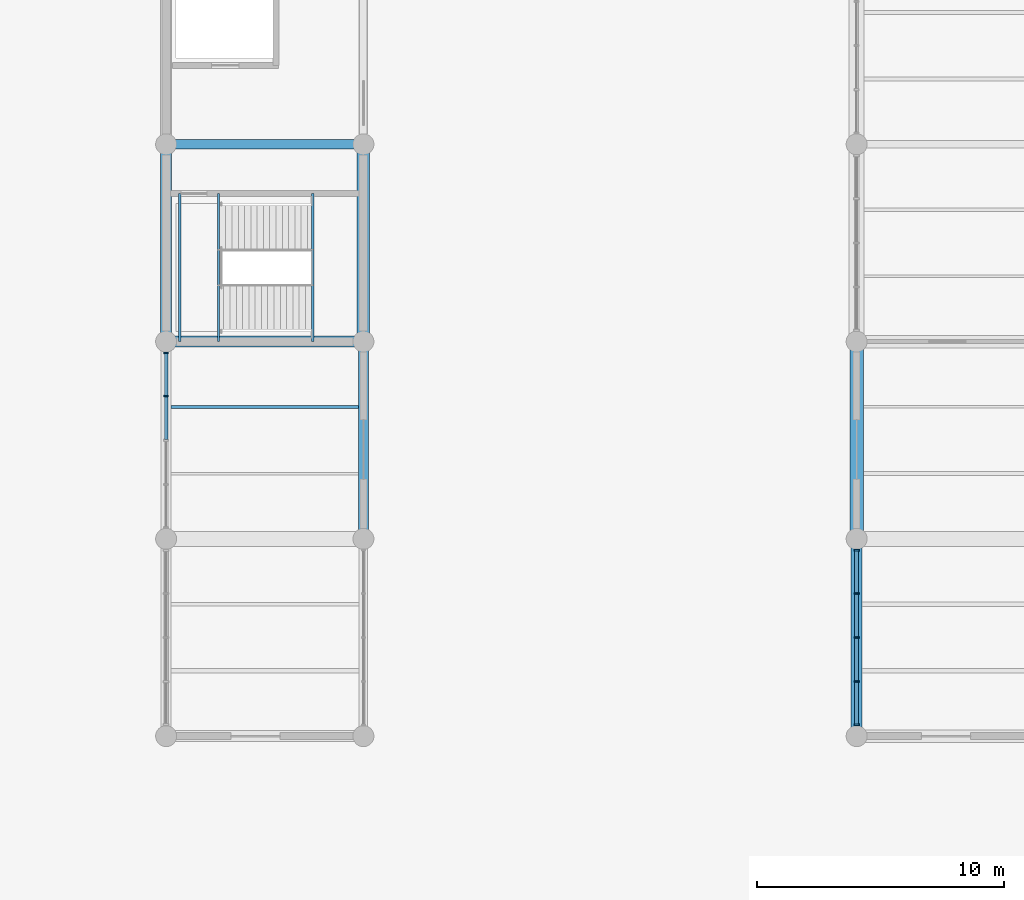
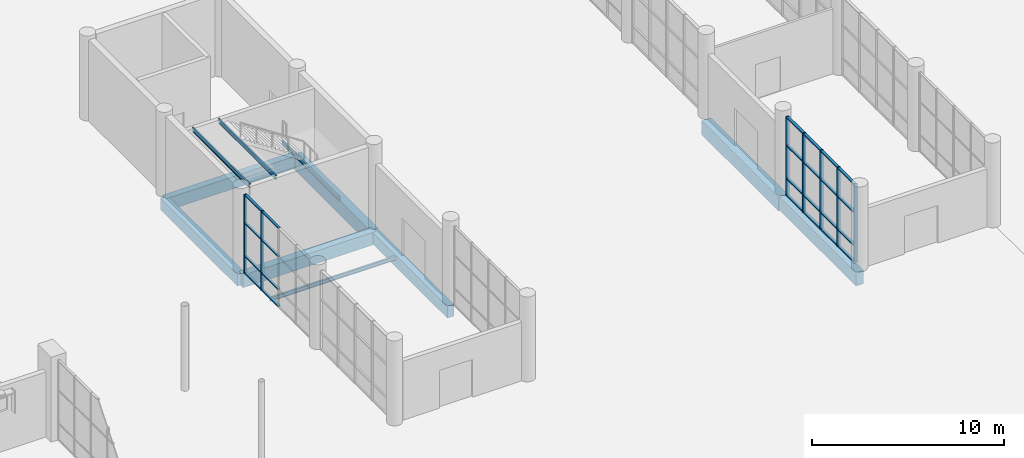
# One storey, part 29 of 123: 31 members, 11 beams, 2 elements without a shape of their own.
"""IFC4 building model written with IfcOpenShell, lengths in metres."""

from ifc_helpers import new_model, si_unit, direction, frame, origin, origin_2d, place, context, subcontext, project, spatial, rectangle, i_section, extrude, material, material_profile, profile_set, type_object, element, aggregate, save


model = new_model("IFC4")

# Units and contexts
model_context = context("Model", 3, precision=1e-05, world=origin(), true_north=direction((0.0, 1.0)))
body_context = subcontext(model_context, "Body", "Model", "MODEL_VIEW")
ifc_project = project(units=[si_unit("LENGTHUNIT", "METRE"), si_unit("AREAUNIT", "SQUARE_METRE"), si_unit("VOLUMEUNIT", "CUBIC_METRE"), si_unit("PLANEANGLEUNIT", "RADIAN"), si_unit("MASSUNIT", "GRAM", prefix="KILO")], contexts=[model_context])

# Site, building, storey
site_placement = place(None, origin())
site = spatial("IfcSite", under=ifc_project, at=site_placement, CompositionType="ELEMENT")
building_placement = place(site_placement, origin())
building = spatial("IfcBuilding", under=site, at=building_placement, Name="Tenunan Teduh Sports Hall", CompositionType="ELEMENT")
storey_placement = place(building_placement, origin())
storey = spatial("IfcBuildingStorey", under=building, at=storey_placement, Name="L00", CompositionType="ELEMENT", Elevation=0.0)

# Beams
ifc_material_1 = material(Name="Concrete C40/50", Category="concrete")
ifc_material_profile_1 = material_profile(ifc_material_1, rectangle(XDim=0.39990234375, YDim=0.75, at=origin_2d()), Name="RCB 400x750")
ifc_profile_set_1 = profile_set([ifc_material_profile_1], Name="Concrete C40/50")
beam_type_1 = type_object("IfcBeamType", Name="BM-RC-400x750", PredefinedType="BEAM", material=ifc_profile_set_1)
beam_1_placement = place(storey_placement, frame((78.0, 46.0, -0.655029296875), z_axis=(0.0, 1.0, 0.0), x_axis=(-1.0, 0.0, 0.0)))
element("IfcBeam", 1, at=beam_1_placement, inside=storey, type_object=beam_type_1, Name="BM-B-09-L00-0822", PredefinedType="BEAM", context=body_context, shape_type="SweptSolid", body=[
    extrude(rectangle(XDim=0.39990234375, YDim=0.75, at=origin_2d()), origin(), (0.0, 0.0, 1.0), 8.0),
])
ifc_material_2 = material(Name="Concrete C40/50", Category="concrete")
ifc_material_profile_2 = material_profile(ifc_material_2, rectangle(XDim=0.449951171875, YDim=0.75, at=origin_2d()), Name="RCB 450x750")
ifc_profile_set_2 = profile_set([ifc_material_profile_2], Name="Concrete C40/50")
beam_type_2 = type_object("IfcBeamType", Name="BM-RC-450x750", PredefinedType="BEAM", material=ifc_profile_set_2)
beam_2_placement = place(storey_placement, frame((70.0, 54.0, -0.655029296875), z_axis=(0.0, 1.0, 0.0), x_axis=(-1.0, 0.0, 0.0)))
element("IfcBeam", 2, at=beam_2_placement, inside=storey, type_object=beam_type_2, Name="BM-B-11-L00-0815", PredefinedType="BEAM", context=body_context, shape_type="SweptSolid", body=[
    extrude(rectangle(XDim=0.449951171875, YDim=0.75, at=origin_2d()), origin(), (0.0, 0.0, 1.0), 8.0),
])
ifc_material_3 = material(Name="Concrete C40/50", Category="concrete")
ifc_material_profile_3 = material_profile(ifc_material_3, rectangle(XDim=0.449951171875, YDim=0.800048828125, at=origin_2d()), Name="RCB 450x800")
ifc_profile_set_3 = profile_set([ifc_material_profile_3], Name="Concrete C40/50")
beam_type_3 = type_object("IfcBeamType", Name="BM-RC-450x800", PredefinedType="BEAM", material=ifc_profile_set_3)
beam_3_placement = place(storey_placement, frame((70.0, 54.0, -0.679931640625), z_axis=(1.0, 0.0, 0.0), x_axis=(0.0, 1.0, 0.0)))
element("IfcBeam", 3, at=beam_3_placement, inside=storey, type_object=beam_type_3, Name="BM-B-12-L00-0665", PredefinedType="BEAM", context=body_context, shape_type="SweptSolid", body=[
    extrude(rectangle(XDim=0.449951171875, YDim=0.800048828125, at=origin_2d()), origin(), (0.0, 0.0, 1.0), 8.0),
])
ifc_material_4 = material(Name="Concrete C40/50", Category="concrete")
ifc_material_profile_4 = material_profile(ifc_material_4, rectangle(XDim=0.449951171875, YDim=0.85009765625, at=origin_2d()), Name="RCB 450x850")
ifc_profile_set_4 = profile_set([ifc_material_profile_4], Name="Concrete C40/50")
beam_type_4 = type_object("IfcBeamType", Name="BM-RC-450x850", PredefinedType="BEAM", material=ifc_profile_set_4)
beam_4_placement = place(storey_placement, frame((98.0, 38.0, -0.705078125), z_axis=(0.0, 1.0, 0.0), x_axis=(-1.0, 0.0, 0.0)))
element("IfcBeam", 4, at=beam_4_placement, inside=storey, type_object=beam_type_4, Name="BM-B-13-L00-0828", PredefinedType="BEAM", context=body_context, shape_type="SweptSolid", body=[
    extrude(rectangle(XDim=0.449951171875, YDim=0.85009765625, at=origin_2d()), origin(), (0.0, 0.0, 1.0), 8.0),
])
ifc_material_5 = material(Name="Concrete C40/50", Category="concrete")
ifc_material_profile_5 = material_profile(ifc_material_5, rectangle(XDim=0.5, YDim=0.89990234375, at=origin_2d()), Name="RCB 500x900")
ifc_profile_set_5 = profile_set([ifc_material_profile_5], Name="Concrete C40/50")
beam_type_5 = type_object("IfcBeamType", Name="BM-RC-500x900", PredefinedType="BEAM", material=ifc_profile_set_5)
beam_5_placement = place(storey_placement, frame((78.0, 54.0, -0.72998046875), z_axis=(0.0, 1.0, 0.0), x_axis=(-1.0, 0.0, 0.0)))
element("IfcBeam", 5, at=beam_5_placement, inside=storey, type_object=beam_type_5, Name="BM-B-15-L00-0823", PredefinedType="BEAM", context=body_context, shape_type="SweptSolid", body=[
    extrude(rectangle(XDim=0.5, YDim=0.89990234375, at=origin_2d()), origin(), (0.0, 0.0, 1.0), 8.0),
])
ifc_material_6 = material(Name="Concrete C40/50", Category="concrete")
ifc_material_profile_6 = material_profile(ifc_material_6, rectangle(XDim=0.550048828125, YDim=0.89990234375, at=origin_2d()), Name="RCB 550x900")
ifc_profile_set_6 = profile_set([ifc_material_profile_6], Name="Concrete C40/50")
beam_type_6 = type_object("IfcBeamType", Name="BM-RC-550x900", PredefinedType="BEAM", material=ifc_profile_set_6)
beam_6_placement = place(storey_placement, frame((98.0, 46.0, -0.72998046875), z_axis=(0.0, 1.0, 0.0), x_axis=(-1.0, 0.0, 0.0)))
element("IfcBeam", 6, at=beam_6_placement, inside=storey, type_object=beam_type_6, Name="BM-B-16-L00-0829", PredefinedType="BEAM", context=body_context, shape_type="SweptSolid", body=[
    extrude(rectangle(XDim=0.550048828125, YDim=0.89990234375, at=origin_2d()), origin(), (0.0, 0.0, 1.0), 8.0),
])
ifc_material_7 = material(Name="Concrete C40/50", Category="concrete")
ifc_material_profile_7 = material_profile(ifc_material_7, rectangle(XDim=0.39990234375, YDim=0.780029296875, at=origin_2d()), Name="TB 400x780")
ifc_profile_set_7 = profile_set([ifc_material_profile_7], Name="Concrete C40/50")
beam_type_7 = type_object("IfcBeamType", Name="BM-TB-400x780", PredefinedType="T_BEAM", material=ifc_profile_set_7)
beam_7_placement = place(storey_placement, frame((70.0, 62.0, -0.669921875), z_axis=(1.0, 0.0, 0.0), x_axis=(0.0, 1.0, 0.0)))
element("IfcBeam", 7, at=beam_7_placement, inside=storey, type_object=beam_type_7, Name="BM-TB-02-L00-0668", PredefinedType="T_BEAM", context=body_context, shape_type="SweptSolid", body=[
    extrude(rectangle(XDim=0.39990234375, YDim=0.780029296875, at=origin_2d()), origin(), (0.0, 0.0, 1.0), 8.0),
])

# Curtain wall, members
ifc_material_8 = material(Name="Anodised aluminium", Category="aluminium")
curtain_wall_type = type_object("IfcCurtainWallType", Name="CW-UNIT-1", PredefinedType="NOTDEFINED", material=ifc_material_8)
curtain_wall_1_placement = place(storey_placement, origin())
curtain_wall_1 = element("IfcCurtainWall", 8, at=curtain_wall_1_placement, inside=storey, type_object=curtain_wall_type, Name="CW-CWM-175-L00-154", PredefinedType="NOTDEFINED")
ifc_material_9 = material(Name="Anodised aluminium", Category="aluminium")
ifc_material_profile_8 = material_profile(ifc_material_9, rectangle(XDim=0.06494140625, YDim=0.175048828125, at=origin_2d()), Name="CWM 65x175")
ifc_profile_set_8 = profile_set([ifc_material_profile_8], Name="Anodised aluminium")
member_type_1 = type_object("IfcMemberType", Name="CWM-175", PredefinedType="MULLION", material=ifc_profile_set_8)
member_1_placement = place(storey_placement, frame((70.0, 51.78759765625, 0.0), z_axis=(0.0, 0.0, 1.0), x_axis=(0.0, 1.0, 0.0)))
member_1 = element("IfcMember", 9, at=member_1_placement, type_object=member_type_1, Name="CW-01 mullion 4", PredefinedType="MULLION", context=body_context, shape_type="SweptSolid", body=[
    extrude(rectangle(XDim=0.06494140625, YDim=0.175048828125, at=origin_2d()), origin(), (0.0, 0.0, 1.0), 5.0400390625),
])
member_2_placement = place(storey_placement, frame((70.0, 53.54248046875, 0.0), z_axis=(0.0, 0.0, 1.0), x_axis=(0.0, 1.0, 0.0)))
member_2 = element("IfcMember", 10, at=member_2_placement, type_object=member_type_1, Name="CW-01 mullion 5", PredefinedType="MULLION", context=body_context, shape_type="SweptSolid", body=[
    extrude(rectangle(XDim=0.06494140625, YDim=0.175048828125, at=origin_2d()), origin(), (0.0, 0.0, 1.0), 5.0400390625),
])

curtain_wall_2_placement = place(storey_placement, origin())
curtain_wall_2 = element("IfcCurtainWall", 11, at=curtain_wall_2_placement, inside=storey, type_object=curtain_wall_type, Name="CW-CWM-200-L00-156", PredefinedType="NOTDEFINED")
ifc_material_10 = material(Name="Anodised aluminium", Category="aluminium")
ifc_material_profile_9 = material_profile(ifc_material_10, rectangle(XDim=0.070068359375, YDim=0.199951171875, at=origin_2d()), Name="CWM 70x200")
ifc_profile_set_9 = profile_set([ifc_material_profile_9], Name="Anodised aluminium")
member_type_2 = type_object("IfcMemberType", Name="CWM-200", PredefinedType="MULLION", material=ifc_profile_set_9)
member_3_placement = place(storey_placement, frame((98.0, 38.4599609375, 0.0), z_axis=(0.0, 0.0, 1.0), x_axis=(0.0, 1.0, 0.0)))
member_3 = element("IfcMember", 12, at=member_3_placement, type_object=member_type_2, Name="CW-01 mullion 1", PredefinedType="MULLION", context=body_context, shape_type="SweptSolid", body=[
    extrude(rectangle(XDim=0.070068359375, YDim=0.199951171875, at=origin_2d()), origin(), (0.0, 0.0, 1.0), 5.0400390625),
])
member_4_placement = place(storey_placement, frame((98.0, 40.21240234375, 0.0), z_axis=(0.0, 0.0, 1.0), x_axis=(0.0, 1.0, 0.0)))
member_4 = element("IfcMember", 13, at=member_4_placement, type_object=member_type_2, Name="CW-01 mullion 2", PredefinedType="MULLION", context=body_context, shape_type="SweptSolid", body=[
    extrude(rectangle(XDim=0.070068359375, YDim=0.199951171875, at=origin_2d()), origin(), (0.0, 0.0, 1.0), 5.0400390625),
])
member_5_placement = place(storey_placement, frame((98.0, 42.0, 0.0), z_axis=(0.0, 0.0, 1.0), x_axis=(0.0, 1.0, 0.0)))
member_5 = element("IfcMember", 14, at=member_5_placement, type_object=member_type_2, Name="CW-01 mullion 3", PredefinedType="MULLION", context=body_context, shape_type="SweptSolid", body=[
    extrude(rectangle(XDim=0.070068359375, YDim=0.199951171875, at=origin_2d()), origin(), (0.0, 0.0, 1.0), 5.0400390625),
])
member_6_placement = place(storey_placement, frame((98.0, 43.78759765625, 0.0), z_axis=(0.0, 0.0, 1.0), x_axis=(0.0, 1.0, 0.0)))
member_6 = element("IfcMember", 15, at=member_6_placement, type_object=member_type_2, Name="CW-01 mullion 4", PredefinedType="MULLION", context=body_context, shape_type="SweptSolid", body=[
    extrude(rectangle(XDim=0.070068359375, YDim=0.199951171875, at=origin_2d()), origin(), (0.0, 0.0, 1.0), 5.0400390625),
])
member_7_placement = place(storey_placement, frame((98.0, 45.5400390625, 0.0), z_axis=(0.0, 0.0, 1.0), x_axis=(0.0, 1.0, 0.0)))
member_7 = element("IfcMember", 16, at=member_7_placement, type_object=member_type_2, Name="CW-01 mullion 5", PredefinedType="MULLION", context=body_context, shape_type="SweptSolid", body=[
    extrude(rectangle(XDim=0.070068359375, YDim=0.199951171875, at=origin_2d()), origin(), (0.0, 0.0, 1.0), 5.0400390625),
])

# Member
ifc_material_11 = material(Name="Anodised aluminium", Category="aluminium")
ifc_material_profile_10 = material_profile(ifc_material_11, rectangle(XDim=0.06494140625, YDim=0.139892578125, at=origin_2d()), Name="CWT 65x140")
ifc_profile_set_10 = profile_set([ifc_material_profile_10], Name="Anodised aluminium")
member_type_3 = type_object("IfcMemberType", Name="CWT-150", PredefinedType="USERDEFINED", material=ifc_profile_set_10)
member_8_placement = place(storey_placement, frame((70.0, 50.032470703125, 0.032470703125), z_axis=(0.0, 1.0, 0.0), x_axis=(0.0, 0.0, 1.0)))
member_8 = element("IfcMember", 17, at=member_8_placement, type_object=member_type_3, Name="CW-01 transom 3.1", ObjectType="TRANSOM", PredefinedType="USERDEFINED", context=body_context, shape_type="SweptSolid", body=[
    extrude(rectangle(XDim=0.06494140625, YDim=0.139892578125, at=origin_2d()), origin(), (0.0, 0.0, 1.0), 1.722412109375),
])

member_9_placement = place(storey_placement, frame((70.0, 50.032470703125, 1.10009765625), z_axis=(0.0, 1.0, 0.0), x_axis=(0.0, 0.0, 1.0)))
member_9 = element("IfcMember", 18, at=member_9_placement, type_object=member_type_3, Name="CW-01 transom 3.2", ObjectType="TRANSOM", PredefinedType="USERDEFINED", context=body_context, shape_type="SweptSolid", body=[
    extrude(rectangle(XDim=0.06494140625, YDim=0.139892578125, at=origin_2d()), origin(), (0.0, 0.0, 1.0), 1.722412109375),
])

member_10_placement = place(storey_placement, frame((70.0, 50.032470703125, 3.199951171875), z_axis=(0.0, 1.0, 0.0), x_axis=(0.0, 0.0, 1.0)))
member_10 = element("IfcMember", 19, at=member_10_placement, type_object=member_type_3, Name="CW-01 transom 3.3", ObjectType="TRANSOM", PredefinedType="USERDEFINED", context=body_context, shape_type="SweptSolid", body=[
    extrude(rectangle(XDim=0.06494140625, YDim=0.139892578125, at=origin_2d()), origin(), (0.0, 0.0, 1.0), 1.722412109375),
])

member_11_placement = place(storey_placement, frame((70.0, 50.032470703125, 5.007568359375), z_axis=(0.0, 1.0, 0.0), x_axis=(0.0, 0.0, 1.0)))
member_11 = element("IfcMember", 20, at=member_11_placement, type_object=member_type_3, Name="CW-01 transom 3.4", ObjectType="TRANSOM", PredefinedType="USERDEFINED", context=body_context, shape_type="SweptSolid", body=[
    extrude(rectangle(XDim=0.06494140625, YDim=0.139892578125, at=origin_2d()), origin(), (0.0, 0.0, 1.0), 1.722412109375),
])

member_12_placement = place(storey_placement, frame((70.0, 51.820068359375, 0.032470703125), z_axis=(0.0, 1.0, 0.0), x_axis=(0.0, 0.0, 1.0)))
member_12 = element("IfcMember", 21, at=member_12_placement, type_object=member_type_3, Name="CW-01 transom 4.1", ObjectType="TRANSOM", PredefinedType="USERDEFINED", context=body_context, shape_type="SweptSolid", body=[
    extrude(rectangle(XDim=0.06494140625, YDim=0.139892578125, at=origin_2d()), origin(), (0.0, 0.0, 1.0), 1.68994140625),
])

member_13_placement = place(storey_placement, frame((70.0, 51.820068359375, 1.10009765625), z_axis=(0.0, 1.0, 0.0), x_axis=(0.0, 0.0, 1.0)))
member_13 = element("IfcMember", 22, at=member_13_placement, type_object=member_type_3, Name="CW-01 transom 4.2", ObjectType="TRANSOM", PredefinedType="USERDEFINED", context=body_context, shape_type="SweptSolid", body=[
    extrude(rectangle(XDim=0.06494140625, YDim=0.139892578125, at=origin_2d()), origin(), (0.0, 0.0, 1.0), 1.68994140625),
])

member_14_placement = place(storey_placement, frame((70.0, 51.820068359375, 3.199951171875), z_axis=(0.0, 1.0, 0.0), x_axis=(0.0, 0.0, 1.0)))
member_14 = element("IfcMember", 23, at=member_14_placement, type_object=member_type_3, Name="CW-01 transom 4.3", ObjectType="TRANSOM", PredefinedType="USERDEFINED", context=body_context, shape_type="SweptSolid", body=[
    extrude(rectangle(XDim=0.06494140625, YDim=0.139892578125, at=origin_2d()), origin(), (0.0, 0.0, 1.0), 1.68994140625),
])

member_15_placement = place(storey_placement, frame((70.0, 51.820068359375, 5.007568359375), z_axis=(0.0, 1.0, 0.0), x_axis=(0.0, 0.0, 1.0)))
member_15 = element("IfcMember", 24, at=member_15_placement, type_object=member_type_3, Name="CW-01 transom 4.4", ObjectType="TRANSOM", PredefinedType="USERDEFINED", context=body_context, shape_type="SweptSolid", body=[
    extrude(rectangle(XDim=0.06494140625, YDim=0.139892578125, at=origin_2d()), origin(), (0.0, 0.0, 1.0), 1.68994140625),
])

aggregate(curtain_wall_1, [member_1, member_2, member_8, member_9, member_10, member_11, member_12, member_13, member_14, member_15])

ifc_material_12 = material(Name="Anodised aluminium", Category="aluminium")
ifc_material_profile_11 = material_profile(ifc_material_12, rectangle(XDim=0.070068359375, YDim=0.159912109375, at=origin_2d()), Name="CWT 70x160")
ifc_profile_set_11 = profile_set([ifc_material_profile_11], Name="Anodised aluminium")
member_type_4 = type_object("IfcMemberType", Name="CWT-200", PredefinedType="USERDEFINED", material=ifc_profile_set_11)
member_16_placement = place(storey_placement, frame((98.0, 38.4951171875, 0.034912109375), z_axis=(0.0, 1.0, 0.0), x_axis=(0.0, 0.0, 1.0)))
member_16 = element("IfcMember", 25, at=member_16_placement, type_object=member_type_4, Name="CW-01 transom 1.1", ObjectType="TRANSOM", PredefinedType="USERDEFINED", context=body_context, shape_type="SweptSolid", body=[
    extrude(rectangle(XDim=0.070068359375, YDim=0.159912109375, at=origin_2d()), origin(), (0.0, 0.0, 1.0), 1.682373046875),
])

member_17_placement = place(storey_placement, frame((98.0, 38.4951171875, 1.10009765625), z_axis=(0.0, 1.0, 0.0), x_axis=(0.0, 0.0, 1.0)))
member_17 = element("IfcMember", 26, at=member_17_placement, type_object=member_type_4, Name="CW-01 transom 1.2", ObjectType="TRANSOM", PredefinedType="USERDEFINED", context=body_context, shape_type="SweptSolid", body=[
    extrude(rectangle(XDim=0.070068359375, YDim=0.159912109375, at=origin_2d()), origin(), (0.0, 0.0, 1.0), 1.682373046875),
])

member_18_placement = place(storey_placement, frame((98.0, 38.4951171875, 3.199951171875), z_axis=(0.0, 1.0, 0.0), x_axis=(0.0, 0.0, 1.0)))
member_18 = element("IfcMember", 27, at=member_18_placement, type_object=member_type_4, Name="CW-01 transom 1.3", ObjectType="TRANSOM", PredefinedType="USERDEFINED", context=body_context, shape_type="SweptSolid", body=[
    extrude(rectangle(XDim=0.070068359375, YDim=0.159912109375, at=origin_2d()), origin(), (0.0, 0.0, 1.0), 1.682373046875),
])

member_19_placement = place(storey_placement, frame((98.0, 38.4951171875, 5.0048828125), z_axis=(0.0, 1.0, 0.0), x_axis=(0.0, 0.0, 1.0)))
member_19 = element("IfcMember", 28, at=member_19_placement, type_object=member_type_4, Name="CW-01 transom 1.4", ObjectType="TRANSOM", PredefinedType="USERDEFINED", context=body_context, shape_type="SweptSolid", body=[
    extrude(rectangle(XDim=0.070068359375, YDim=0.159912109375, at=origin_2d()), origin(), (0.0, 0.0, 1.0), 1.682373046875),
])

member_20_placement = place(storey_placement, frame((98.0, 40.24755859375, 0.034912109375), z_axis=(0.0, 1.0, 0.0), x_axis=(0.0, 0.0, 1.0)))
member_20 = element("IfcMember", 29, at=member_20_placement, type_object=member_type_4, Name="CW-01 transom 2.1", ObjectType="TRANSOM", PredefinedType="USERDEFINED", context=body_context, shape_type="SweptSolid", body=[
    extrude(rectangle(XDim=0.070068359375, YDim=0.159912109375, at=origin_2d()), origin(), (0.0, 0.0, 1.0), 1.717529296875),
])

member_21_placement = place(storey_placement, frame((98.0, 40.24755859375, 1.10009765625), z_axis=(0.0, 1.0, 0.0), x_axis=(0.0, 0.0, 1.0)))
member_21 = element("IfcMember", 30, at=member_21_placement, type_object=member_type_4, Name="CW-01 transom 2.2", ObjectType="TRANSOM", PredefinedType="USERDEFINED", context=body_context, shape_type="SweptSolid", body=[
    extrude(rectangle(XDim=0.070068359375, YDim=0.159912109375, at=origin_2d()), origin(), (0.0, 0.0, 1.0), 1.717529296875),
])

member_22_placement = place(storey_placement, frame((98.0, 40.24755859375, 3.199951171875), z_axis=(0.0, 1.0, 0.0), x_axis=(0.0, 0.0, 1.0)))
member_22 = element("IfcMember", 31, at=member_22_placement, type_object=member_type_4, Name="CW-01 transom 2.3", ObjectType="TRANSOM", PredefinedType="USERDEFINED", context=body_context, shape_type="SweptSolid", body=[
    extrude(rectangle(XDim=0.070068359375, YDim=0.159912109375, at=origin_2d()), origin(), (0.0, 0.0, 1.0), 1.717529296875),
])

member_23_placement = place(storey_placement, frame((98.0, 40.24755859375, 5.0048828125), z_axis=(0.0, 1.0, 0.0), x_axis=(0.0, 0.0, 1.0)))
member_23 = element("IfcMember", 32, at=member_23_placement, type_object=member_type_4, Name="CW-01 transom 2.4", ObjectType="TRANSOM", PredefinedType="USERDEFINED", context=body_context, shape_type="SweptSolid", body=[
    extrude(rectangle(XDim=0.070068359375, YDim=0.159912109375, at=origin_2d()), origin(), (0.0, 0.0, 1.0), 1.717529296875),
])

member_24_placement = place(storey_placement, frame((98.0, 42.034912109375, 0.034912109375), z_axis=(0.0, 1.0, 0.0), x_axis=(0.0, 0.0, 1.0)))
member_24 = element("IfcMember", 33, at=member_24_placement, type_object=member_type_4, Name="CW-01 transom 3.1", ObjectType="TRANSOM", PredefinedType="USERDEFINED", context=body_context, shape_type="SweptSolid", body=[
    extrude(rectangle(XDim=0.070068359375, YDim=0.159912109375, at=origin_2d()), origin(), (0.0, 0.0, 1.0), 1.717529296875),
])

member_25_placement = place(storey_placement, frame((98.0, 42.034912109375, 1.10009765625), z_axis=(0.0, 1.0, 0.0), x_axis=(0.0, 0.0, 1.0)))
member_25 = element("IfcMember", 34, at=member_25_placement, type_object=member_type_4, Name="CW-01 transom 3.2", ObjectType="TRANSOM", PredefinedType="USERDEFINED", context=body_context, shape_type="SweptSolid", body=[
    extrude(rectangle(XDim=0.070068359375, YDim=0.159912109375, at=origin_2d()), origin(), (0.0, 0.0, 1.0), 1.717529296875),
])

member_26_placement = place(storey_placement, frame((98.0, 42.034912109375, 3.199951171875), z_axis=(0.0, 1.0, 0.0), x_axis=(0.0, 0.0, 1.0)))
member_26 = element("IfcMember", 35, at=member_26_placement, type_object=member_type_4, Name="CW-01 transom 3.3", ObjectType="TRANSOM", PredefinedType="USERDEFINED", context=body_context, shape_type="SweptSolid", body=[
    extrude(rectangle(XDim=0.070068359375, YDim=0.159912109375, at=origin_2d()), origin(), (0.0, 0.0, 1.0), 1.717529296875),
])

member_27_placement = place(storey_placement, frame((98.0, 42.034912109375, 5.0048828125), z_axis=(0.0, 1.0, 0.0), x_axis=(0.0, 0.0, 1.0)))
member_27 = element("IfcMember", 36, at=member_27_placement, type_object=member_type_4, Name="CW-01 transom 3.4", ObjectType="TRANSOM", PredefinedType="USERDEFINED", context=body_context, shape_type="SweptSolid", body=[
    extrude(rectangle(XDim=0.070068359375, YDim=0.159912109375, at=origin_2d()), origin(), (0.0, 0.0, 1.0), 1.717529296875),
])

member_28_placement = place(storey_placement, frame((98.0, 43.822509765625, 0.034912109375), z_axis=(0.0, 1.0, 0.0), x_axis=(0.0, 0.0, 1.0)))
member_28 = element("IfcMember", 37, at=member_28_placement, type_object=member_type_4, Name="CW-01 transom 4.1", ObjectType="TRANSOM", PredefinedType="USERDEFINED", context=body_context, shape_type="SweptSolid", body=[
    extrude(rectangle(XDim=0.070068359375, YDim=0.159912109375, at=origin_2d()), origin(), (0.0, 0.0, 1.0), 1.682373046875),
])

member_29_placement = place(storey_placement, frame((98.0, 43.822509765625, 1.10009765625), z_axis=(0.0, 1.0, 0.0), x_axis=(0.0, 0.0, 1.0)))
member_29 = element("IfcMember", 38, at=member_29_placement, type_object=member_type_4, Name="CW-01 transom 4.2", ObjectType="TRANSOM", PredefinedType="USERDEFINED", context=body_context, shape_type="SweptSolid", body=[
    extrude(rectangle(XDim=0.070068359375, YDim=0.159912109375, at=origin_2d()), origin(), (0.0, 0.0, 1.0), 1.682373046875),
])

member_30_placement = place(storey_placement, frame((98.0, 43.822509765625, 3.199951171875), z_axis=(0.0, 1.0, 0.0), x_axis=(0.0, 0.0, 1.0)))
member_30 = element("IfcMember", 39, at=member_30_placement, type_object=member_type_4, Name="CW-01 transom 4.3", ObjectType="TRANSOM", PredefinedType="USERDEFINED", context=body_context, shape_type="SweptSolid", body=[
    extrude(rectangle(XDim=0.070068359375, YDim=0.159912109375, at=origin_2d()), origin(), (0.0, 0.0, 1.0), 1.682373046875),
])

member_31_placement = place(storey_placement, frame((98.0, 43.822509765625, 5.0048828125), z_axis=(0.0, 1.0, 0.0), x_axis=(0.0, 0.0, 1.0)))
member_31 = element("IfcMember", 40, at=member_31_placement, type_object=member_type_4, Name="CW-01 transom 4.4", ObjectType="TRANSOM", PredefinedType="USERDEFINED", context=body_context, shape_type="SweptSolid", body=[
    extrude(rectangle(XDim=0.070068359375, YDim=0.159912109375, at=origin_2d()), origin(), (0.0, 0.0, 1.0), 1.682373046875),
])

aggregate(curtain_wall_2, [member_3, member_4, member_5, member_6, member_7, member_16, member_17, member_18, member_19, member_20, member_21, member_22, member_23, member_24, member_25, member_26, member_27, member_28, member_29, member_30, member_31])

# Beams
ifc_material_13 = material(Name="Steel S355", Category="steel")
ifc_material_profile_12 = material_profile(ifc_material_13, i_section(OverallWidth=0.1201171875, OverallDepth=0.239990234375, WebThickness=0.006103515625, FlangeThickness=0.009765625, FilletRadius=0.014892578125, at=origin_2d()), Name="IPE 240")
ifc_profile_set_12 = profile_set([ifc_material_profile_12], Name="Steel S355")
beam_type_8 = type_object("IfcBeamType", Name="JST-IPE240", PredefinedType="JOIST", material=ifc_profile_set_12)
beam_8_placement = place(storey_placement, frame((70.199951171875, 51.35009765625, -0.39990234375), z_axis=(1.0, 0.0, 0.0), x_axis=(0.0, 1.0, 0.0)))
element("IfcBeam", 41, at=beam_8_placement, inside=storey, type_object=beam_type_8, Name="BM-J-02-L00-0969", PredefinedType="JOIST", context=body_context, shape_type="SweptSolid", body=[
    extrude(i_section(OverallWidth=0.1201171875, OverallDepth=0.239990234375, WebThickness=0.006103515625, FlangeThickness=0.009765625, FilletRadius=0.014892578125, at=origin_2d()), origin(), (0.0, 0.0, 1.0), 7.60009765625),
])
ifc_material_14 = material(Name="Steel S355", Category="steel")
ifc_material_profile_13 = material_profile(ifc_material_14, i_section(OverallWidth=0.090087890625, OverallDepth=0.260009765625, WebThickness=0.008056640625, FlangeThickness=0.013916015625, FilletRadius=0.011962890625, at=origin_2d()), Name="PFC 260x90")
ifc_profile_set_13 = profile_set([ifc_material_profile_13], Name="Steel S355")
beam_type_9 = type_object("IfcBeamType", Name="STR-BM-TRIM", PredefinedType="BEAM", material=ifc_profile_set_13)
for number, where, z_axis, x_axis, name in (
    (42, (75.945068359375, 54.0, 2.3701171875), (0.0, 1.0, 0.0), (-1.0, 0.0, 0.0), "BM-SS-02-C1-L00-M"),
    (43, (72.1201171875, 54.0, 5.070068359375), (0.0, 1.0, 0.0), (-1.0, 0.0, 0.0), "BM-SS-02-C1-L00-T"),
    (44, (70.550048828125, 54.0, 5.070068359375), (0.0, 1.0, 0.0), (-1.0, 0.0, 0.0), "BM-SS-02-C1-L00-TW"),
):
    element("IfcBeam", number, at=place(storey_placement, frame(where, z_axis=z_axis, x_axis=x_axis)), inside=storey, type_object=beam_type_9, Name=name, PredefinedType="BEAM", context=body_context, shape_type="SweptSolid", body=[
        extrude(i_section(OverallWidth=0.090087890625, OverallDepth=0.260009765625, WebThickness=0.008056640625, FlangeThickness=0.013916015625, FilletRadius=0.011962890625, at=origin_2d()), origin(), (0.0, 0.0, 1.0), 6.0),
    ])

save(model, "model.ifc")
